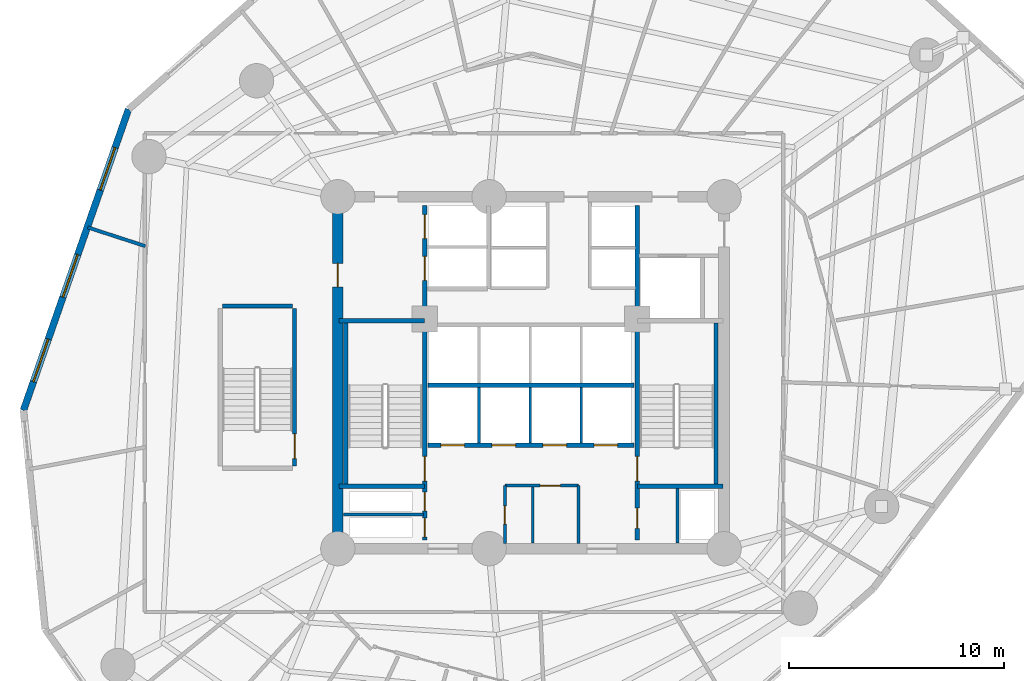
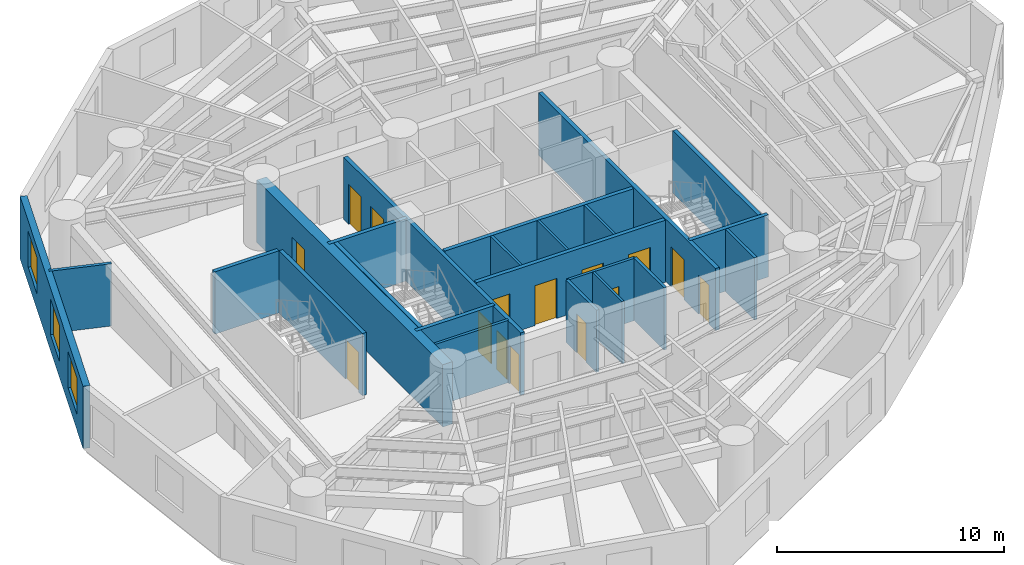
# One storey, part 4 of 8: 23 walls, 15 doors, 3 windows, 18 openings.
"""IFC4 building model written with IfcOpenShell, lengths in metres."""

from ifc_helpers import new_model, si_unit, direction, frame, frame_2d, origin, origin_with_axes, place, context, subcontext, project, spatial, rectangle, extrude, source, transform, mapped, material, layer, layer_set, type_object, element, fill, save


model = new_model("IFC4")

# Units and contexts
model_context = context("Model", 3, precision=1e-05, world=origin(), true_north=direction((0.0, 1.0)))
body_context = subcontext(model_context, "Body", "Model", "MODEL_VIEW")
ifc_project = project(units=[si_unit("LENGTHUNIT", "METRE"), si_unit("AREAUNIT", "SQUARE_METRE"), si_unit("VOLUMEUNIT", "CUBIC_METRE"), si_unit("PLANEANGLEUNIT", "RADIAN"), si_unit("MASSUNIT", "GRAM", prefix="KILO")], contexts=[model_context])

# Site, building, storey
site_placement = place(None, origin())
site = spatial("IfcSite", under=ifc_project, at=site_placement, CompositionType="ELEMENT")
building_placement = place(site_placement, origin())
building = spatial("IfcBuilding", under=site, at=building_placement, Name="Karkom Vertical University and Central Library", CompositionType="ELEMENT")
storey_placement = place(building_placement, frame((0.0, 0.0, 62.5)))
storey = spatial("IfcBuildingStorey", under=building, at=storey_placement, Name="L16", CompositionType="ELEMENT", Elevation=62.5)

# Wall, openings, windows
ifc_material_1 = material(Name="Brick-faced precast concrete C45/55", Category="masonry")
ifc_layer_1 = layer(ifc_material_1, 0.320068359375)
ifc_layer_set_1 = layer_set([ifc_layer_1], Name="Brick-faced precast concrete C45/55")
wall_type_1 = type_object("IfcWallType", Name="ENV-WL-BRK-320", PredefinedType="SOLIDWALL", material=ifc_layer_set_1)
wall_1_placement = place(storey_placement, frame((9.74365234375, 38.77783203125, 0.0), z_axis=(0.0, 0.0, 1.0), x_axis=(-0.329395999257, -0.944191863804, 0.0)))
wall_1 = element("IfcWall", 1, at=wall_1_placement, inside=storey, type_object=wall_type_1, Name="Level 16 Brick-Faced Precast Facade Wall 02", PredefinedType="SOLIDWALL", context=body_context, shape_type="SweptSolid", body=[
    extrude(rectangle(XDim=14.860595703125, YDim=0.320068359375, at=frame_2d((7.43017578125, 0.0))), origin(), (0.0, 0.0, 1.0), 3.35009765625),
])
opening_1_placement = place(wall_1_placement, frame((1.8916015625, 0.0, 0.85009765625)))
opening_1 = element("IfcOpeningElement", 2, at=opening_1_placement, cuts=wall_1, Name="Opening WN-03", PredefinedType="OPENING", context=body_context, shape_type="SweptSolid", body=[
    extrude(rectangle(XDim=2.10009765625, YDim=1.949951171875, at=frame_2d((1.050048828125, 0.97509765625))), frame((0.0, 0.169921875, 0.0), z_axis=(0.0, -1.0, 0.0), x_axis=(1.0, 0.0, 0.0)), (0.0, 0.0, 1.0), 0.340087890625),
])
opening_2_placement = place(wall_1_placement, frame((7.177490234375, 0.0, 0.85009765625)))
opening_2 = element("IfcOpeningElement", 3, at=opening_2_placement, cuts=wall_1, Name="Opening WN-03", PredefinedType="OPENING", context=body_context, shape_type="SweptSolid", body=[
    extrude(rectangle(XDim=2.10009765625, YDim=1.949951171875, at=frame_2d((1.050048828125, 0.97509765625))), frame((0.0, 0.169921875, 0.0), z_axis=(0.0, -1.0, 0.0), x_axis=(1.0, 0.0, 0.0)), (0.0, 0.0, 1.0), 0.340087890625),
])
opening_3_placement = place(wall_1_placement, frame((11.34619140625, 0.0, 0.85009765625)))
opening_3 = element("IfcOpeningElement", 4, at=opening_3_placement, cuts=wall_1, Name="Opening WN-03", PredefinedType="OPENING", context=body_context, shape_type="SweptSolid", body=[
    extrude(rectangle(XDim=2.10009765625, YDim=1.949951171875, at=frame_2d((1.050048828125, 0.97509765625))), frame((0.0, 0.169921875, 0.0), z_axis=(0.0, -1.0, 0.0), x_axis=(1.0, 0.0, 0.0)), (0.0, 0.0, 1.0), 0.340087890625),
])
ifc_material_2 = material(Name="Aluminium thermal-break frame with solar-control IGU", Category="aluminium")
window_type = type_object("IfcWindowType", Name="ENV-WIN-WN-03", PartitioningType="SINGLE_PANEL", PredefinedType="WINDOW", material=ifc_material_2)
shared_shape_1 = source(origin_with_axes(), body_context, "Body", "SweptSolid", [
    extrude(rectangle(XDim=2.10009765625, YDim=1.949951171875, at=frame_2d((1.050048828125, 0.97509765625))), frame((0.0, 0.030029296875, 0.0), z_axis=(0.0, -1.0, 0.0), x_axis=(1.0, 0.0, 0.0)), (0.0, 0.0, 1.0), 0.06005859375),
])
window_1_placement = place(opening_1_placement, origin())
window_1 = element("IfcWindow", 5, at=window_1_placement, inside=storey, type_object=window_type, Name="Level 16 Punched Window 2.1", OverallHeight=1.949951171875, OverallWidth=2.10009765625, PartitioningType="SINGLE_PANEL", PredefinedType="WINDOW", context=body_context, shape_type="MappedRepresentation", body=[
    mapped(shared_shape_1, transform((0.0, 0.0, 0.0), scale=1.0)),
])
fill(opening_1, window_1)
window_2_placement = place(opening_2_placement, origin())
window_2 = element("IfcWindow", 6, at=window_2_placement, inside=storey, type_object=window_type, Name="Level 16 Punched Window 2.2", OverallHeight=1.949951171875, OverallWidth=2.10009765625, PartitioningType="SINGLE_PANEL", PredefinedType="WINDOW", context=body_context, shape_type="MappedRepresentation", body=[
    mapped(shared_shape_1, transform((0.0, 0.0, 0.0), scale=1.0)),
])
fill(opening_2, window_2)
window_3_placement = place(opening_3_placement, origin())
window_3 = element("IfcWindow", 7, at=window_3_placement, inside=storey, type_object=window_type, Name="Level 16 Punched Window 2.3", OverallHeight=1.949951171875, OverallWidth=2.10009765625, PartitioningType="SINGLE_PANEL", PredefinedType="WINDOW", context=body_context, shape_type="MappedRepresentation", body=[
    mapped(shared_shape_1, transform((0.0, 0.0, 0.0), scale=1.0)),
])
fill(opening_3, window_3)

# Walls
ifc_material_3 = material(Name="Insulated metal-stud drywall 160mm", Category="gypsum")
ifc_layer_2 = layer(ifc_material_3, 0.159912109375)
ifc_layer_set_2 = layer_set([ifc_layer_2], Name="Insulated metal-stud drywall 160mm")
wall_type_2 = type_object("IfcWallType", Name="INT-WL-COR-160", PredefinedType="PARTITIONING", material=ifc_layer_set_2)
wall_2_placement = place(storey_placement, frame((10.528564453125, 32.400390625, 0.0), z_axis=(0.0, 0.0, 1.0), x_axis=(-0.951090090214, 0.308913645373, 0.0)))
element("IfcWall", 8, at=wall_2_placement, inside=storey, type_object=wall_type_2, Name="Level 16 Interior Partition Wall L16-PW-042", PredefinedType="PARTITIONING", context=body_context, shape_type="SweptSolid", body=[
    extrude(rectangle(XDim=2.8173828125, YDim=0.159912109375, at=frame_2d((1.40869140625, 0.0))), origin(), (0.0, 0.0, 1.0), 3.35009765625),
])
ifc_material_4 = material(Name="Moisture-resistant drywall 120mm", Category="gypsum")
ifc_layer_3 = layer(ifc_material_4, 0.1201171875)
ifc_layer_set_3 = layer_set([ifc_layer_3], Name="Moisture-resistant drywall 120mm")
wall_type_3 = type_object("IfcWallType", Name="INT-WL-INT-120", PredefinedType="PARTITIONING", material=ifc_layer_set_3)
wall_3_placement = place(storey_placement, frame((28.580078125, 18.556884765625, 0.0), z_axis=(0.0, 0.0, 1.0), x_axis=(0.0, 1.0, 0.0)))
element("IfcWall", 9, at=wall_3_placement, inside=storey, type_object=wall_type_3, Name="Level 16 Interior Partition Wall L16-CW-K2-DIV", PredefinedType="PARTITIONING", context=body_context, shape_type="SweptSolid", body=[
    extrude(rectangle(XDim=2.611083984375, YDim=0.1201171875, at=frame_2d((1.3056640625, 0.0))), origin(), (0.0, 0.0, 1.0), 3.35009765625),
])
ifc_layer_4 = layer(ifc_material_4, 0.1201171875)
ifc_layer_set_4 = layer_set([ifc_layer_4], Name="Moisture-resistant drywall 120mm")
wall_type_4 = type_object("IfcWallType", Name="INT-WL-INT-120H", PredefinedType="PARTITIONING", material=ifc_layer_set_4)
for number, where, z_axis, x_axis, name in (
    (10, (26.080078125, 23.219970703125, 0.0), (0.0, 0.0, 1.0), (0.0, 1.0, 0.0), "Level 16 Interior Partition Wall L16-CW-PL-DIV1"),
    (11, (28.4599609375, 23.219970703125, 0.0), (0.0, 0.0, 1.0), (0.0, 1.0, 0.0), "Level 16 Interior Partition Wall L16-CW-PL-DIV2"),
    (12, (30.840087890625, 23.219970703125, 0.0), (0.0, 0.0, 1.0), (0.0, 1.0, 0.0), "Level 16 Interior Partition Wall L16-CW-PL-DIV3"),
):
    element("IfcWall", number, at=place(storey_placement, frame(where, z_axis=z_axis, x_axis=x_axis)), inside=storey, type_object=wall_type_4, Name=name, PredefinedType="PARTITIONING", context=body_context, shape_type="SweptSolid", body=[
        extrude(rectangle(XDim=2.60009765625, YDim=0.1201171875, at=frame_2d((1.300048828125, 0.0))), origin(), (0.0, 0.0, 1.0), 3.35009765625),
    ])

# Wall, opening, door
ifc_material_5 = material(Name="Metal-stud gypsum partition 140mm", Category="gypsum")
ifc_layer_5 = layer(ifc_material_5, 0.139892578125)
ifc_layer_set_5 = layer_set([ifc_layer_5], Name="Metal-stud gypsum partition 140mm")
wall_type_5 = type_object("IfcWallType", Name="INT-WL-SUB-140", PredefinedType="PARTITIONING", material=ifc_layer_set_5)
wall_4_placement = place(storey_placement, frame((27.280029296875, 21.239990234375, 0.0), z_axis=(0.0, 0.0, 1.0), x_axis=(1.0, 0.0, 0.0)))
wall_4 = element("IfcWall", 13, at=wall_4_placement, inside=storey, type_object=wall_type_5, Name="Level 16 Interior Partition Wall L16-CW-KBAY-N", PredefinedType="PARTITIONING", context=body_context, shape_type="SweptSolid", body=[
    extrude(rectangle(XDim=3.43994140625, YDim=0.139892578125, at=frame_2d((1.719970703125, 0.0))), origin(), (0.0, 0.0, 1.0), 3.35009765625),
])
opening_4_placement = place(wall_4_placement, frame((1.64990234375, 0.0, 0.0)))
opening_4 = element("IfcOpeningElement", 14, at=opening_4_placement, cuts=wall_4, Name="Opening D-WC1", PredefinedType="OPENING", context=body_context, shape_type="SweptSolid", body=[
    extrude(rectangle(XDim=0.93994140625, YDim=2.10009765625, at=frame_2d((0.469970703125, 1.050048828125))), frame((0.0, 0.080078125, 0.0), z_axis=(0.0, -1.0, 0.0), x_axis=(1.0, 0.0, 0.0)), (0.0, 0.0, 1.0), 0.159912109375),
])
ifc_material_6 = material(Name="Fire-rated laminate moisture-resistant door", Category="wood")
door_type_1 = type_object("IfcDoorType", Name="INT-DR-WC1", OperationType="NOTDEFINED", PredefinedType="DOOR", material=ifc_material_6)
shared_shape_2 = source(origin_with_axes(), body_context, "Body", "SweptSolid", [
    extrude(rectangle(XDim=0.93994140625, YDim=2.10009765625, at=frame_2d((0.469970703125, 1.050048828125))), frame((0.0, 0.02490234375, 0.0), z_axis=(0.0, -1.0, 0.0), x_axis=(1.0, 0.0, 0.0)), (0.0, 0.0, 1.0), 0.050048828125),
])
door_1_placement = place(opening_4_placement, origin())
door_1 = element("IfcDoor", 15, at=door_1_placement, inside=storey, type_object=door_type_1, Name="Level 16 Staff WC Door", OperationType="SINGLE_SWING_LEFT", OverallHeight=2.10009765625, OverallWidth=0.93994140625, PredefinedType="DOOR", context=body_context, shape_type="MappedRepresentation", body=[
    mapped(shared_shape_2, transform((0.0, 0.0, 0.0), scale=1.0)),
])
fill(opening_4, door_1)

wall_5_placement = place(storey_placement, frame((27.280029296875, 18.550048828125, 0.0), z_axis=(0.0, 0.0, 1.0), x_axis=(0.0, 1.0, 0.0)))
wall_5 = element("IfcWall", 16, at=wall_5_placement, inside=storey, type_object=wall_type_5, Name="Level 16 Interior Partition Wall L16-CW-KBAY-W", PredefinedType="PARTITIONING", context=body_context, shape_type="SweptSolid", body=[
    extrude(rectangle(XDim=2.68994140625, YDim=0.139892578125, at=frame_2d((1.344970703125, 0.0))), origin(), (0.0, 0.0, 1.0), 3.35009765625),
])
opening_5_placement = place(wall_5_placement, frame((0.889892578125, 0.0, 0.0)))
opening_5 = element("IfcOpeningElement", 17, at=opening_5_placement, cuts=wall_5, Name="Opening D-BATH", PredefinedType="OPENING", context=body_context, shape_type="SweptSolid", body=[
    extrude(rectangle(XDim=0.860107421875, YDim=2.10009765625, at=frame_2d((0.43017578125, 1.050048828125))), frame((0.0, 0.080078125, 0.0), z_axis=(0.0, -1.0, 0.0), x_axis=(1.0, 0.0, 0.0)), (0.0, 0.0, 1.0), 0.159912109375),
])
ifc_material_7 = material(Name="Moisture-resistant oak door", Category="wood")
door_type_2 = type_object("IfcDoorType", Name="INT-DR-BATH", OperationType="NOTDEFINED", PredefinedType="DOOR", material=ifc_material_7)
shared_shape_3 = source(origin_with_axes(), body_context, "Body", "SweptSolid", [
    extrude(rectangle(XDim=0.860107421875, YDim=2.10009765625, at=frame_2d((0.43017578125, 1.050048828125))), frame((0.0, 0.02490234375, 0.0), z_axis=(0.0, -1.0, 0.0), x_axis=(1.0, 0.0, 0.0)), (0.0, 0.0, 1.0), 0.050048828125),
])
door_2_placement = place(opening_5_placement, origin())
door_2 = element("IfcDoor", 18, at=door_2_placement, inside=storey, type_object=door_type_2, Name="Level 16 Cleaners Store Door", OperationType="SINGLE_SWING_RIGHT", OverallHeight=2.10009765625, OverallWidth=0.860107421875, PredefinedType="DOOR", context=body_context, shape_type="MappedRepresentation", body=[
    mapped(shared_shape_3, transform((0.0, 0.0, 0.0), scale=1.0)),
])
fill(opening_5, door_2)

# Walls
wall_6_placement = place(storey_placement, frame((30.719970703125, 18.550048828125, 0.0), z_axis=(0.0, 0.0, 1.0), x_axis=(0.0, 1.0, 0.0)))
element("IfcWall", 19, at=wall_6_placement, inside=storey, type_object=wall_type_5, Name="Level 16 Interior Partition Wall L16-CW-KBAY-E", PredefinedType="PARTITIONING", context=body_context, shape_type="SweptSolid", body=[
    extrude(rectangle(XDim=2.68994140625, YDim=0.139892578125, at=frame_2d((1.344970703125, 0.0))), origin(), (0.0, 0.0, 1.0), 3.35009765625),
])
ifc_layer_6 = layer(ifc_material_5, 0.139892578125)
ifc_layer_set_6 = layer_set([ifc_layer_6], Name="Metal-stud gypsum partition 140mm")
wall_type_6 = type_object("IfcWallType", Name="INT-WL-SUB-140H", PredefinedType="PARTITIONING", material=ifc_layer_set_6)
wall_7_placement = place(storey_placement, frame((19.757080078125, 19.889892578125, 0.0), z_axis=(0.0, 0.0, 1.0), x_axis=(1.0, 0.0, 0.0)))
element("IfcWall", 20, at=wall_7_placement, inside=storey, type_object=wall_type_6, Name="Level 16 Interior Partition Wall L16-CW-RIS-W", PredefinedType="PARTITIONING", context=body_context, shape_type="SweptSolid", body=[
    extrude(rectangle(XDim=3.7392578125, YDim=0.139892578125, at=frame_2d((1.86962890625, 0.0))), origin(), (0.0, 0.0, 1.0), 3.35009765625),
])
wall_8_placement = place(storey_placement, frame((35.320068359375, 18.556884765625, 0.0), z_axis=(0.0, 0.0, 1.0), x_axis=(0.0, 1.0, 0.0)))
element("IfcWall", 21, at=wall_8_placement, inside=storey, type_object=wall_type_6, Name="Level 16 Interior Partition Wall L16-CW-RIS-E", PredefinedType="PARTITIONING", context=body_context, shape_type="SweptSolid", body=[
    extrude(rectangle(XDim=2.553466796875, YDim=0.139892578125, at=frame_2d((1.27685546875, 0.0))), origin(), (0.0, 0.0, 1.0), 3.35009765625),
])

# Wall, opening, door
ifc_material_8 = material(Name="Concrete C50/60", Category="concrete")
ifc_layer_7 = layer(ifc_material_8, 0.5)
ifc_layer_set_7 = layer_set([ifc_layer_7], Name="Concrete C50/60")
wall_type_7 = type_object("IfcWallType", Name="STR-WL-CW-500", PredefinedType="SHEAR", material=ifc_layer_set_7)
wall_9_placement = place(storey_placement, frame((19.5, 34.699951171875, 0.0), z_axis=(0.0, 0.0, 1.0), x_axis=(0.0, -1.0, 0.0)))
wall_9 = element("IfcWall", 22, at=wall_9_placement, inside=storey, type_object=wall_type_7, Name="Level 16 Central Core Shear Wall WW", PredefinedType="SHEAR", context=body_context, shape_type="SweptSolid", body=[
    extrude(rectangle(XDim=16.39990234375, YDim=0.5, at=frame_2d((8.199951171875, 0.0))), origin(), (0.0, 0.0, 1.0), 3.35009765625),
])
opening_6_placement = place(wall_9_placement, frame((3.10009765625, 0.0, 0.0)))
opening_6 = element("IfcOpeningElement", 23, at=opening_6_placement, cuts=wall_9, Name="Opening FD-FFL", PredefinedType="OPENING", context=body_context, shape_type="SweptSolid", body=[
    extrude(rectangle(XDim=1.10009765625, YDim=2.14990234375, at=frame_2d((0.550048828125, 1.074951171875))), frame((0.0, 0.260009765625, 0.0), z_axis=(0.0, -1.0, 0.0), x_axis=(1.0, 0.0, 0.0)), (0.0, 0.0, 1.0), 0.52001953125),
])
ifc_material_9 = material(Name="Painted steel smoke-seal fire door", Category="steel")
door_type_3 = type_object("IfcDoorType", Name="INT-DR-FFL", OperationType="NOTDEFINED", PredefinedType="DOOR", material=ifc_material_9)
shared_shape_4 = source(origin_with_axes(), body_context, "Body", "SweptSolid", [
    extrude(rectangle(XDim=1.10009765625, YDim=2.14990234375, at=frame_2d((0.550048828125, 1.074951171875))), frame((0.0, 0.02490234375, 0.0), z_axis=(0.0, -1.0, 0.0), x_axis=(1.0, 0.0, 0.0)), (0.0, 0.0, 1.0), 0.050048828125),
])
door_3_placement = place(opening_6_placement, origin())
door_3 = element("IfcDoor", 24, at=door_3_placement, inside=storey, type_object=door_type_3, Name="Level 16 West Corridor Firefighting Lobby Door", OperationType="SINGLE_SWING_RIGHT", OverallHeight=2.14990234375, OverallWidth=1.10009765625, PredefinedType="DOOR", context=body_context, shape_type="MappedRepresentation", body=[
    mapped(shared_shape_4, transform((0.0, 0.0, 0.0), scale=1.0)),
])
fill(opening_6, door_3)

# Wall, openings, doors
ifc_material_10 = material(Name="Concrete C45/55", Category="concrete")
ifc_layer_8 = layer(ifc_material_10, 0.199951171875)
ifc_layer_set_8 = layer_set([ifc_layer_8], Name="Concrete C45/55")
wall_type_8 = type_object("IfcWallType", Name="STR-WL-ST-200", PredefinedType="SHEAR", material=ifc_layer_set_8)
wall_10_placement = place(storey_placement, frame((23.544921875, 18.699951171875, 0.0), z_axis=(0.0, 0.0, 1.0), x_axis=(0.0, 1.0, 0.0)))
wall_10 = element("IfcWall", 25, at=wall_10_placement, inside=storey, type_object=wall_type_8, Name="Level 16 Core Shaft Wall L16-CW-ST1-E", PredefinedType="SHEAR", context=body_context, shape_type="SweptSolid", body=[
    extrude(rectangle(XDim=15.60009765625, YDim=0.199951171875, at=frame_2d((7.800048828125, 0.0))), origin(), (0.0, 0.0, 1.0), 3.35009765625),
])
opening_7_placement = place(wall_10_placement, frame((2.75, 0.0, 0.0)))
opening_7 = element("IfcOpeningElement", 26, at=opening_7_placement, cuts=wall_10, Name="Opening FD-ST1", PredefinedType="OPENING", context=body_context, shape_type="SweptSolid", body=[
    extrude(rectangle(XDim=1.14990234375, YDim=2.14990234375, at=frame_2d((0.574951171875, 1.074951171875))), frame((0.0, 0.10986328125, 0.0), z_axis=(0.0, -1.0, 0.0), x_axis=(1.0, 0.0, 0.0)), (0.0, 0.0, 1.0), 0.219970703125),
])
opening_8_placement = place(wall_10_placement, frame((0.139892578125, 0.0, 0.0)))
opening_8 = element("IfcOpeningElement", 27, at=opening_8_placement, cuts=wall_10, Name="Opening FD-RIS", PredefinedType="OPENING", context=body_context, shape_type="SweptSolid", body=[
    extrude(rectangle(XDim=0.8798828125, YDim=2.10009765625, at=frame_2d((0.43994140625, 1.050048828125))), frame((0.0, 0.10986328125, 0.0), z_axis=(0.0, -1.0, 0.0), x_axis=(1.0, 0.0, 0.0)), (0.0, 0.0, 1.0), 0.219970703125),
])
opening_9_placement = place(wall_10_placement, frame((1.360107421875, 0.0, 0.0)))
opening_9 = element("IfcOpeningElement", 28, at=opening_9_placement, cuts=wall_10, Name="Opening FD-RIS", PredefinedType="OPENING", context=body_context, shape_type="SweptSolid", body=[
    extrude(rectangle(XDim=0.8798828125, YDim=2.10009765625, at=frame_2d((0.43994140625, 1.050048828125))), frame((0.0, 0.10986328125, 0.0), z_axis=(0.0, -1.0, 0.0), x_axis=(1.0, 0.0, 0.0)), (0.0, 0.0, 1.0), 0.219970703125),
])
opening_10_placement = place(wall_10_placement, frame((12.10009765625, 0.0, 0.0)))
opening_10 = element("IfcOpeningElement", 29, at=opening_10_placement, cuts=wall_10, Name="Opening LD-FFL", PredefinedType="OPENING", context=body_context, shape_type="SweptSolid", body=[
    extrude(rectangle(XDim=1.1201171875, YDim=2.14990234375, at=frame_2d((0.56005859375, 1.074951171875))), frame((0.0, 0.10986328125, 0.0), z_axis=(0.0, -1.0, 0.0), x_axis=(1.0, 0.0, 0.0)), (0.0, 0.0, 1.0), 0.219970703125),
])
opening_11_placement = place(wall_10_placement, frame((14.050048828125, 0.0, 0.0)))
opening_11 = element("IfcOpeningElement", 30, at=opening_11_placement, cuts=wall_10, Name="Opening LD-FFL", PredefinedType="OPENING", context=body_context, shape_type="SweptSolid", body=[
    extrude(rectangle(XDim=1.1201171875, YDim=2.14990234375, at=frame_2d((0.56005859375, 1.074951171875))), frame((0.0, 0.10986328125, 0.0), z_axis=(0.0, -1.0, 0.0), x_axis=(1.0, 0.0, 0.0)), (0.0, 0.0, 1.0), 0.219970703125),
])
ifc_material_11 = material(Name="Painted steel acoustic fire door", Category="steel")
door_type_4 = type_object("IfcDoorType", Name="INT-DR-ST1", OperationType="NOTDEFINED", PredefinedType="DOOR", material=ifc_material_11)
shared_shape_5 = source(origin_with_axes(), body_context, "Body", "SweptSolid", [
    extrude(rectangle(XDim=1.14990234375, YDim=2.14990234375, at=frame_2d((0.574951171875, 1.074951171875))), frame((0.0, 0.02490234375, 0.0), z_axis=(0.0, -1.0, 0.0), x_axis=(1.0, 0.0, 0.0)), (0.0, 0.0, 1.0), 0.050048828125),
])
door_4_placement = place(opening_7_placement, origin())
door_4 = element("IfcDoor", 31, at=door_4_placement, inside=storey, type_object=door_type_4, Name="Level 16 Stair ST-1 Fire Door", OperationType="SINGLE_SWING_LEFT", OverallHeight=2.14990234375, OverallWidth=1.14990234375, PredefinedType="DOOR", context=body_context, shape_type="MappedRepresentation", body=[
    mapped(shared_shape_5, transform((0.0, 0.0, 0.0), scale=1.0)),
])
fill(opening_7, door_4)
ifc_material_12 = material(Name="Painted steel riser access door", Category="steel")
door_type_5 = type_object("IfcDoorType", Name="INT-DR-RIS", OperationType="NOTDEFINED", PredefinedType="DOOR", material=ifc_material_12)
shared_shape_6 = source(origin_with_axes(), body_context, "Body", "SweptSolid", [
    extrude(rectangle(XDim=0.8798828125, YDim=2.10009765625, at=frame_2d((0.43994140625, 1.050048828125))), frame((0.0, 0.02490234375, 0.0), z_axis=(0.0, -1.0, 0.0), x_axis=(1.0, 0.0, 0.0)), (0.0, 0.0, 1.0), 0.050048828125),
])
door_5_placement = place(opening_8_placement, origin())
door_5 = element("IfcDoor", 32, at=door_5_placement, inside=storey, type_object=door_type_5, Name="Level 16 Electrical Riser Access Door", OperationType="SINGLE_SWING_LEFT", OverallHeight=2.10009765625, OverallWidth=0.8798828125, PredefinedType="DOOR", context=body_context, shape_type="MappedRepresentation", body=[
    mapped(shared_shape_6, transform((0.0, 0.0, 0.0), scale=1.0)),
])
fill(opening_8, door_5)
door_6_placement = place(opening_9_placement, origin())
door_6 = element("IfcDoor", 33, at=door_6_placement, inside=storey, type_object=door_type_5, Name="Level 16 Telecom Riser Access Door", OperationType="SINGLE_SWING_RIGHT", OverallHeight=2.10009765625, OverallWidth=0.8798828125, PredefinedType="DOOR", context=body_context, shape_type="MappedRepresentation", body=[
    mapped(shared_shape_6, transform((0.0, 0.0, 0.0), scale=1.0)),
])
fill(opening_9, door_6)
ifc_material_13 = material(Name="Fire-rated stainless-steel landing door", Category="steel")
door_type_6 = type_object("IfcDoorType", Name="INT-DR-LD-FFL", OperationType="SLIDING_TO_LEFT", PredefinedType="DOOR", material=ifc_material_13)
shared_shape_7 = source(origin_with_axes(), body_context, "Body", "SweptSolid", [
    extrude(rectangle(XDim=1.1201171875, YDim=2.14990234375, at=frame_2d((0.56005859375, 1.074951171875))), frame((0.0, 0.02490234375, 0.0), z_axis=(0.0, -1.0, 0.0), x_axis=(1.0, 0.0, 0.0)), (0.0, 0.0, 1.0), 0.050048828125),
])
door_7_placement = place(opening_10_placement, origin())
door_7 = element("IfcDoor", 34, at=door_7_placement, inside=storey, type_object=door_type_6, Name="Level 16 Firefighting Lift FFL-1 Landing Door", OperationType="SLIDING_TO_LEFT", OverallHeight=2.14990234375, OverallWidth=1.1201171875, PredefinedType="DOOR", context=body_context, shape_type="MappedRepresentation", body=[
    mapped(shared_shape_7, transform((0.0, 0.0, 0.0), scale=1.0)),
])
fill(opening_10, door_7)
door_8_placement = place(opening_11_placement, origin())
door_8 = element("IfcDoor", 35, at=door_8_placement, inside=storey, type_object=door_type_6, Name="Level 16 Firefighting Lift FFL-2 Landing Door", OperationType="SLIDING_TO_RIGHT", OverallHeight=2.14990234375, OverallWidth=1.1201171875, PredefinedType="DOOR", context=body_context, shape_type="MappedRepresentation", body=[
    mapped(shared_shape_7, transform((0.0, 0.0, 0.0), scale=1.0)),
])
fill(opening_11, door_8)

wall_11_placement = place(storey_placement, frame((33.455078125, 18.699951171875, 0.0), z_axis=(0.0, 0.0, 1.0), x_axis=(0.0, 1.0, 0.0)))
wall_11 = element("IfcWall", 36, at=wall_11_placement, inside=storey, type_object=wall_type_8, Name="Level 16 Core Shaft Wall L16-CW-ST2-W", PredefinedType="SHEAR", context=body_context, shape_type="SweptSolid", body=[
    extrude(rectangle(XDim=15.60009765625, YDim=0.199951171875, at=frame_2d((7.800048828125, 0.0))), origin(), (0.0, 0.0, 1.0), 3.35009765625),
])
opening_12_placement = place(wall_11_placement, frame((2.75, 0.0, 0.0)))
opening_12 = element("IfcOpeningElement", 37, at=opening_12_placement, cuts=wall_11, Name="Opening FD-ST1", PredefinedType="OPENING", context=body_context, shape_type="SweptSolid", body=[
    extrude(rectangle(XDim=1.14990234375, YDim=2.14990234375, at=frame_2d((0.574951171875, 1.074951171875))), frame((0.0, 0.10986328125, 0.0), z_axis=(0.0, -1.0, 0.0), x_axis=(1.0, 0.0, 0.0)), (0.0, 0.0, 1.0), 0.219970703125),
])
opening_13_placement = place(wall_11_placement, frame((0.550048828125, 0.0, 0.0)))
opening_13 = element("IfcOpeningElement", 38, at=opening_13_placement, cuts=wall_11, Name="Opening D-WC1", PredefinedType="OPENING", context=body_context, shape_type="SweptSolid", body=[
    extrude(rectangle(XDim=0.93994140625, YDim=2.10009765625, at=frame_2d((0.469970703125, 1.050048828125))), frame((0.0, 0.10986328125, 0.0), z_axis=(0.0, -1.0, 0.0), x_axis=(1.0, 0.0, 0.0)), (0.0, 0.0, 1.0), 0.219970703125),
])
door_9_placement = place(opening_12_placement, origin())
door_9 = element("IfcDoor", 39, at=door_9_placement, inside=storey, type_object=door_type_4, Name="Level 16 Stair ST-2 Fire Door", OperationType="SINGLE_SWING_RIGHT", OverallHeight=2.14990234375, OverallWidth=1.14990234375, PredefinedType="DOOR", context=body_context, shape_type="MappedRepresentation", body=[
    mapped(shared_shape_5, transform((0.0, 0.0, 0.0), scale=1.0)),
])
fill(opening_12, door_9)
door_10_placement = place(opening_13_placement, origin())
door_10 = element("IfcDoor", 40, at=door_10_placement, inside=storey, type_object=door_type_1, Name="Level 16 Accessible WC Door", OperationType="SINGLE_SWING_LEFT", OverallHeight=2.10009765625, OverallWidth=0.93994140625, PredefinedType="DOOR", context=body_context, shape_type="MappedRepresentation", body=[
    mapped(shared_shape_2, transform((0.0, 0.0, 0.0), scale=1.0)),
])
fill(opening_13, door_10)

wall_12_placement = place(storey_placement, frame((23.699951171875, 23.1201171875, 0.0), z_axis=(0.0, 0.0, 1.0), x_axis=(1.0, 0.0, 0.0)))
wall_12 = element("IfcWall", 41, at=wall_12_placement, inside=storey, type_object=wall_type_8, Name="Level 16 Core Shaft Wall L16-CW-B1-S", PredefinedType="SHEAR", context=body_context, shape_type="SweptSolid", body=[
    extrude(rectangle(XDim=9.60009765625, YDim=0.199951171875, at=frame_2d((4.800048828125, 0.0))), origin(), (0.0, 0.0, 1.0), 3.35009765625),
])
opening_14_placement = place(wall_12_placement, frame((0.60009765625, 0.0, 0.0)))
opening_14 = element("IfcOpeningElement", 42, at=opening_14_placement, cuts=wall_12, Name="Opening LD-PAX", PredefinedType="OPENING", context=body_context, shape_type="SweptSolid", body=[
    extrude(rectangle(XDim=1.10009765625, YDim=2.14990234375, at=frame_2d((0.550048828125, 1.074951171875))), frame((0.0, 0.10986328125, 0.0), z_axis=(0.0, -1.0, 0.0), x_axis=(1.0, 0.0, 0.0)), (0.0, 0.0, 1.0), 0.219970703125),
])
opening_15_placement = place(wall_12_placement, frame((2.97998046875, 0.0, 0.0)))
opening_15 = element("IfcOpeningElement", 43, at=opening_15_placement, cuts=wall_12, Name="Opening LD-PAX", PredefinedType="OPENING", context=body_context, shape_type="SweptSolid", body=[
    extrude(rectangle(XDim=1.10009765625, YDim=2.14990234375, at=frame_2d((0.550048828125, 1.074951171875))), frame((0.0, 0.10986328125, 0.0), z_axis=(0.0, -1.0, 0.0), x_axis=(1.0, 0.0, 0.0)), (0.0, 0.0, 1.0), 0.219970703125),
])
opening_16_placement = place(wall_12_placement, frame((5.360107421875, 0.0, 0.0)))
opening_16 = element("IfcOpeningElement", 44, at=opening_16_placement, cuts=wall_12, Name="Opening LD-PAX", PredefinedType="OPENING", context=body_context, shape_type="SweptSolid", body=[
    extrude(rectangle(XDim=1.10009765625, YDim=2.14990234375, at=frame_2d((0.550048828125, 1.074951171875))), frame((0.0, 0.10986328125, 0.0), z_axis=(0.0, -1.0, 0.0), x_axis=(1.0, 0.0, 0.0)), (0.0, 0.0, 1.0), 0.219970703125),
])
opening_17_placement = place(wall_12_placement, frame((7.739990234375, 0.0, 0.0)))
opening_17 = element("IfcOpeningElement", 45, at=opening_17_placement, cuts=wall_12, Name="Opening LD-PAX", PredefinedType="OPENING", context=body_context, shape_type="SweptSolid", body=[
    extrude(rectangle(XDim=1.10009765625, YDim=2.14990234375, at=frame_2d((0.550048828125, 1.074951171875))), frame((0.0, 0.10986328125, 0.0), z_axis=(0.0, -1.0, 0.0), x_axis=(1.0, 0.0, 0.0)), (0.0, 0.0, 1.0), 0.219970703125),
])
ifc_material_14 = material(Name="Brushed stainless-steel landing door", Category="steel")
door_type_7 = type_object("IfcDoorType", Name="INT-DR-LD-PAX", OperationType="SLIDING_TO_LEFT", PredefinedType="DOOR", material=ifc_material_14)
door_11_placement = place(opening_14_placement, origin())
door_11 = element("IfcDoor", 46, at=door_11_placement, inside=storey, type_object=door_type_7, Name="Level 16 Lift PL-1 Landing Door", OperationType="SLIDING_TO_LEFT", OverallHeight=2.14990234375, OverallWidth=1.10009765625, PredefinedType="DOOR", context=body_context, shape_type="MappedRepresentation", body=[
    mapped(shared_shape_4, transform((0.0, 0.0, 0.0), scale=1.0)),
])
fill(opening_14, door_11)
door_12_placement = place(opening_15_placement, origin())
door_12 = element("IfcDoor", 47, at=door_12_placement, inside=storey, type_object=door_type_7, Name="Level 16 Lift PL-2 Landing Door", OperationType="SLIDING_TO_RIGHT", OverallHeight=2.14990234375, OverallWidth=1.10009765625, PredefinedType="DOOR", context=body_context, shape_type="MappedRepresentation", body=[
    mapped(shared_shape_4, transform((0.0, 0.0, 0.0), scale=1.0)),
])
fill(opening_15, door_12)
door_13_placement = place(opening_16_placement, origin())
door_13 = element("IfcDoor", 48, at=door_13_placement, inside=storey, type_object=door_type_7, Name="Level 16 Lift PL-3 Landing Door", OperationType="SLIDING_TO_LEFT", OverallHeight=2.14990234375, OverallWidth=1.10009765625, PredefinedType="DOOR", context=body_context, shape_type="MappedRepresentation", body=[
    mapped(shared_shape_4, transform((0.0, 0.0, 0.0), scale=1.0)),
])
fill(opening_16, door_13)
door_14_placement = place(opening_17_placement, origin())
door_14 = element("IfcDoor", 49, at=door_14_placement, inside=storey, type_object=door_type_7, Name="Level 16 Lift PL-4 Landing Door", OperationType="SLIDING_TO_RIGHT", OverallHeight=2.14990234375, OverallWidth=1.10009765625, PredefinedType="DOOR", context=body_context, shape_type="MappedRepresentation", body=[
    mapped(shared_shape_4, transform((0.0, 0.0, 0.0), scale=1.0)),
])
fill(opening_17, door_14)

# Walls
wall_13_placement = place(storey_placement, frame((23.699951171875, 25.919921875, 0.0), z_axis=(0.0, 0.0, 1.0), x_axis=(1.0, 0.0, 0.0)))
element("IfcWall", 50, at=wall_13_placement, inside=storey, type_object=wall_type_8, Name="Level 16 Core Shaft Wall L16-CW-B1-N", PredefinedType="SHEAR", context=body_context, shape_type="SweptSolid", body=[
    extrude(rectangle(XDim=9.60009765625, YDim=0.199951171875, at=frame_2d((4.800048828125, 0.0))), origin(), (0.0, 0.0, 1.0), 3.35009765625),
])
for number, where, z_axis, x_axis, name in (
    (51, (19.875, 21.320068359375, 0.0), (0.0, 0.0, 1.0), (0.0, 1.0, 0.0), "Level 16 Core Shaft Wall L16-CW-ST1-W"),
    (52, (37.125, 21.320068359375, 0.0), (0.0, 0.0, 1.0), (0.0, 1.0, 0.0), "Level 16 Core Shaft Wall L16-CW-ST2-E"),
):
    element("IfcWall", number, at=place(storey_placement, frame(where, z_axis=z_axis, x_axis=x_axis)), inside=storey, type_object=wall_type_8, Name=name, PredefinedType="SHEAR", context=body_context, shape_type="SweptSolid", body=[
        extrude(rectangle(XDim=7.5, YDim=0.199951171875, at=frame_2d((3.75, 0.0))), origin(), (0.0, 0.0, 1.0), 3.35009765625),
    ])

# Wall, opening, door
wall_14_placement = place(storey_placement, frame((17.485107421875, 22.14990234375, 0.0), z_axis=(0.0, 0.0, 1.0), x_axis=(0.0, 1.0, 0.0)))
wall_14 = element("IfcWall", 53, at=wall_14_placement, inside=storey, type_object=wall_type_8, Name="Level 16 Core Shaft Wall L16-W-ST3-E", PredefinedType="SHEAR", context=body_context, shape_type="SweptSolid", body=[
    extrude(rectangle(XDim=7.35009765625, YDim=0.199951171875, at=frame_2d((3.675048828125, 0.0))), origin(), (0.0, 0.0, 1.0), 3.35009765625),
])
opening_18_placement = place(wall_14_placement, frame((0.35009765625, 0.0, 0.0)))
opening_18 = element("IfcOpeningElement", 54, at=opening_18_placement, cuts=wall_14, Name="Opening FD-ST1", PredefinedType="OPENING", context=body_context, shape_type="SweptSolid", body=[
    extrude(rectangle(XDim=1.14990234375, YDim=2.14990234375, at=frame_2d((0.574951171875, 1.074951171875))), frame((0.0, 0.10986328125, 0.0), z_axis=(0.0, -1.0, 0.0), x_axis=(1.0, 0.0, 0.0)), (0.0, 0.0, 1.0), 0.219970703125),
])
door_15_placement = place(opening_18_placement, origin())
door_15 = element("IfcDoor", 55, at=door_15_placement, inside=storey, type_object=door_type_4, Name="Level 16 Stair ST-3 Fire Door", OperationType="SINGLE_SWING_LEFT", OverallHeight=2.14990234375, OverallWidth=1.14990234375, PredefinedType="DOOR", context=body_context, shape_type="MappedRepresentation", body=[
    mapped(shared_shape_5, transform((0.0, 0.0, 0.0), scale=1.0)),
])
fill(opening_18, door_15)

# Walls
for number, where, z_axis, x_axis, name in (
    (56, (33.455078125, 21.215087890625, 0.0), (0.0, 0.0, 1.0), (1.0, 0.0, 0.0), "Level 16 Core Shaft Wall L16-CW-ST2-S"),
    (57, (19.550048828125, 21.215087890625, 0.0), (0.0, 0.0, 1.0), (1.0, 0.0, 0.0), "Level 16 Core Shaft Wall L16-CW-ST1-S"),
    (58, (19.550048828125, 28.925048828125, 0.0), (0.0, 0.0, 1.0), (1.0, 0.0, 0.0), "Level 16 Core Shaft Wall L16-CW-ST1-N"),
):
    element("IfcWall", number, at=place(storey_placement, frame(where, z_axis=z_axis, x_axis=x_axis)), inside=storey, type_object=wall_type_8, Name=name, PredefinedType="SHEAR", context=body_context, shape_type="SweptSolid", body=[
        extrude(rectangle(XDim=3.994873046875, YDim=0.199951171875, at=frame_2d((1.99755859375, 0.0))), origin(), (0.0, 0.0, 1.0), 3.35009765625),
    ])
wall_15_placement = place(storey_placement, frame((14.1201171875, 29.60498046875, 0.0), z_axis=(0.0, 0.0, 1.0), x_axis=(1.0, 0.0, 0.0)))
element("IfcWall", 59, at=wall_15_placement, inside=storey, type_object=wall_type_8, Name="Level 16 Core Shaft Wall L16-W-ST3-N", PredefinedType="SHEAR", context=body_context, shape_type="SweptSolid", body=[
    extrude(rectangle(XDim=3.259765625, YDim=0.199951171875, at=frame_2d((1.6298828125, 0.0))), origin(), (0.0, 0.0, 1.0), 3.35009765625),
])

save(model, "model.ifc")
